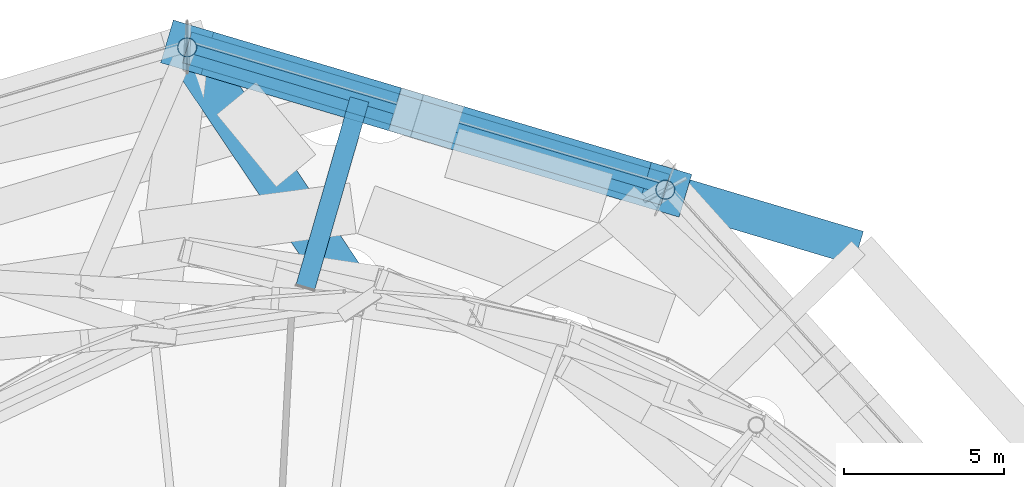
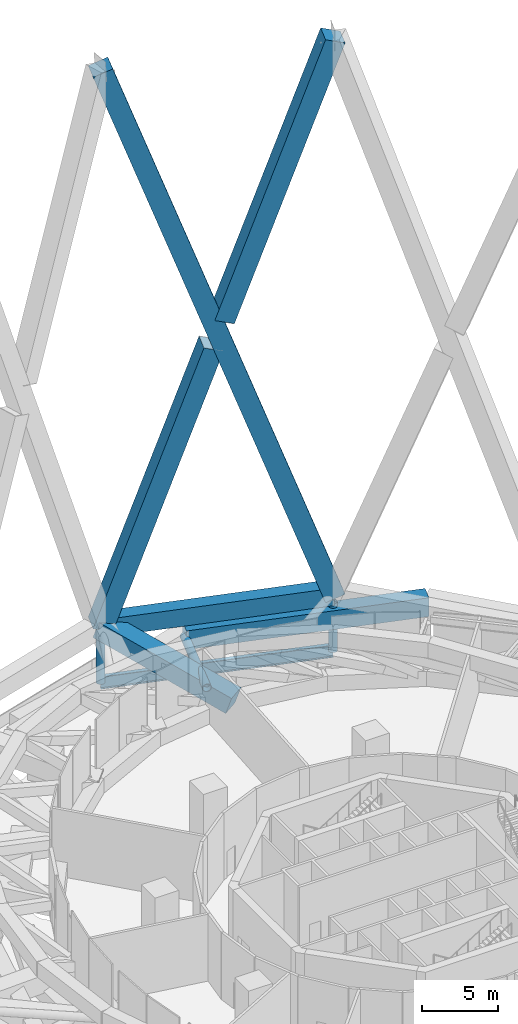
# One storey, part 46 of 60: 9 members, 1 beam.
"""IFC4 building model written with IfcOpenShell, lengths in metres."""

from ifc_helpers import new_model, si_unit, direction, frame, origin, origin_2d, place, context, subcontext, project, spatial, rectangle, hollow_circle, i_section, extrude, material, material_profile, profile_set, type_object, element, save


model = new_model("IFC4")

# Units and contexts
model_context = context("Model", 3, precision=1e-05, world=origin(), true_north=direction((0.0, 1.0)))
body_context = subcontext(model_context, "Body", "Model", "MODEL_VIEW")
ifc_project = project(units=[si_unit("LENGTHUNIT", "METRE"), si_unit("AREAUNIT", "SQUARE_METRE"), si_unit("VOLUMEUNIT", "CUBIC_METRE"), si_unit("PLANEANGLEUNIT", "RADIAN"), si_unit("MASSUNIT", "GRAM", prefix="KILO")], contexts=[model_context])

# Site, building, storey
site_placement = place(None, origin())
site = spatial("IfcSite", under=ifc_project, at=site_placement, CompositionType="ELEMENT")
building_placement = place(site_placement, origin())
building = spatial("IfcBuilding", under=site, at=building_placement, Name="Nagisa Residences", CompositionType="ELEMENT")
storey_placement = place(building_placement, frame((0.0, 0.0, 206.60009765625)))
storey = spatial("IfcBuildingStorey", under=building, at=storey_placement, Name="L52", CompositionType="ELEMENT", Elevation=206.60009765625)

# Members
ifc_material_1 = material(Name="Concrete C80", Category="concrete")
ifc_material_profile_1 = material_profile(ifc_material_1, rectangle(XDim=1.39990234375, YDim=1.39990234375, at=origin_2d()), Name="C80 1400x1400")
ifc_profile_set_1 = profile_set([ifc_material_profile_1], Name="Concrete C80")
member_type_1 = type_object("IfcMemberType", Name="Cage bracket 5 C80 1400x1400", PredefinedType="BRACE", material=ifc_profile_set_1)
member_1_placement = place(storey_placement, frame((-1.800048828125, 36.40771484375, 3.699951171875), z_axis=(0.531327539767, -0.790349415137, -0.305022699939), x_axis=(0.829898144324, 0.557914930834, 0.0)))
element("IfcMember", 1, at=member_1_placement, inside=storey, type_object=member_type_1, Name="mem:L52:cg4ob02", PredefinedType="BRACE", context=body_context, shape_type="SweptSolid", body=[
    extrude(rectangle(XDim=1.39990234375, YDim=1.39990234375, at=origin_2d()), origin(), (0.0, 0.0, 1.0), 10.16357421875),
])
ifc_material_2 = material(Name="Concrete C80", Category="concrete")
ifc_material_profile_2 = material_profile(ifc_material_2, rectangle(XDim=1.39990234375, YDim=1.39990234375, at=origin_2d()), Name="C80 1400x1400")
ifc_profile_set_2 = profile_set([ifc_material_profile_2], Name="Concrete C80")
member_type_2 = type_object("IfcMemberType", Name="Cage diagonal 5 C80 1400x1400", PredefinedType="BRACE", material=ifc_profile_set_2)
member_2_placement = place(storey_placement, frame((13.18505859375, 31.94775390625, 3.699951171875), z_axis=(-0.317705439745, 0.094557470361, 0.943462844184), x_axis=(-0.285259913253, -0.958450197919, 0.0)))
element("IfcMember", 2, at=member_2_placement, inside=storey, type_object=member_type_2, Name="mem:L52:cg5d005", PredefinedType="BRACE", context=body_context, shape_type="SweptSolid", body=[
    extrude(rectangle(XDim=1.39990234375, YDim=1.39990234375, at=origin_2d()), origin(), (0.0, 0.0, 1.0), 47.166748046875),
])
member_3_placement = place(storey_placement, frame((-1.800048828125, 36.40771484375, 3.699951171875), z_axis=(0.317705408319, -0.094554793248, 0.943463123073), x_axis=(0.285252520058, 0.958452398297, 0.0)))
element("IfcMember", 3, at=member_3_placement, inside=storey, type_object=member_type_2, Name="mem:L52:cg5d006a", PredefinedType="BRACE", context=body_context, shape_type="SweptSolid", body=[
    extrude(rectangle(XDim=1.39990234375, YDim=1.39990234375, at=origin_2d()), origin(), (0.0, 0.0, 1.0), 22.484130859375),
])
member_4_placement = place(storey_placement, frame((6.041748046875, 34.07373046875, 26.98681640625), z_axis=(0.317702153622, -0.094553824592, 0.943464316145), x_axis=(0.285252520058, 0.958452398297, 0.0)))
element("IfcMember", 4, at=member_4_placement, inside=storey, type_object=member_type_2, Name="mem:L52:cg5d006b", PredefinedType="BRACE", context=body_context, shape_type="SweptSolid", body=[
    extrude(rectangle(XDim=1.39990234375, YDim=1.39990234375, at=origin_2d()), origin(), (0.0, 0.0, 1.0), 22.484375),
])
ifc_material_3 = material(Name="Concrete C80", Category="concrete")
ifc_material_profile_3 = material_profile(ifc_material_3, rectangle(XDim=1.10009765625, YDim=1.5, at=origin_2d()), Name="C80 1100x1500")
ifc_profile_set_3 = profile_set([ifc_material_profile_3], Name="Concrete C80")
member_type_3 = type_object("IfcMemberType", Name="Cage ring 4 C80 1100x1500", PredefinedType="CHORD", material=ifc_profile_set_3)
member_5_placement = place(storey_placement, frame((19.237548828125, 30.115966796875, 1.89990234375), z_axis=(-0.958369394258, 0.285531266501, 0.0), x_axis=(-0.285531266501, -0.958369394258, 0.0)))
element("IfcMember", 5, at=member_5_placement, inside=storey, type_object=member_type_3, Name="beam:L52:cg4r103", PredefinedType="CHORD", context=body_context, shape_type="SweptSolid", body=[
    extrude(rectangle(XDim=1.10009765625, YDim=1.5, at=origin_2d()), origin(), (0.0, 0.0, 1.0), 16.316650390625),
])
ifc_material_4 = material(Name="Concrete C80", Category="concrete")
ifc_material_profile_4 = material_profile(ifc_material_4, rectangle(XDim=1.0, YDim=1.39990234375, at=origin_2d()), Name="C80 1000x1400")
ifc_profile_set_4 = profile_set([ifc_material_profile_4], Name="Concrete C80")
member_type_4 = type_object("IfcMemberType", Name="Cage ring 5 C80 1000x1400", PredefinedType="CHORD", material=ifc_profile_set_4)
member_6_placement = place(storey_placement, frame((13.18505859375, 31.94775390625, 3.699951171875), z_axis=(-0.958450197919, 0.285259913253, 0.0), x_axis=(-0.285259913253, -0.958450197919, 0.0)))
element("IfcMember", 6, at=member_6_placement, inside=storey, type_object=member_type_4, Name="beam:L52:cg5r003", PredefinedType="CHORD", context=body_context, shape_type="SweptSolid", body=[
    extrude(rectangle(XDim=1.0, YDim=1.39990234375, at=origin_2d()), origin(), (0.0, 0.0, 1.0), 15.634765625),
])
ifc_material_5 = material(Name="Steel ASTM A572 Gr 65", Category="steel")
ifc_material_profile_5 = material_profile(ifc_material_5, hollow_circle(Radius=0.304931640625, WallThickness=0.02490234375, at=origin_2d()), Name="CHS 610x25")
ifc_profile_set_5 = profile_set([ifc_material_profile_5], Name="Steel ASTM A572 Gr 65")
member_type_5 = type_object("IfcMemberType", Name="Cage strut CHS 610x25", PredefinedType="STRUT", material=ifc_profile_set_5)
member_7_placement = place(storey_placement, frame((3.60009765625, 34.77490234375, 1.89990234375), z_axis=(-0.276794163292, -0.960929233174, 0.0), x_axis=(0.960929233174, -0.276794163292, 0.0)))
element("IfcMember", 7, at=member_7_placement, inside=storey, type_object=member_type_5, Name="mem:L52:bt4st4a04", PredefinedType="STRUT", context=body_context, shape_type="SweptSolid", body=[
    extrude(hollow_circle(Radius=0.304931640625, WallThickness=0.02490234375, at=origin_2d()), origin(), (0.0, 0.0, 1.0), 6.12646484375),
])

# Beam
ifc_material_6 = material(Name="Steel ASTM A572 Gr 50", Category="steel")
ifc_material_profile_6 = material_profile(ifc_material_6, i_section(OverallWidth=0.300048828125, OverallDepth=0.97998046875, WebThickness=0.0166015625, FlangeThickness=0.02587890625, at=origin_2d()), Name="W1000x249")
ifc_profile_set_6 = profile_set([ifc_material_profile_6], Name="Steel ASTM A572 Gr 50")
beam_type = type_object("IfcBeamType", Name="Deck edge beam W1000x249", PredefinedType="BEAM", material=ifc_profile_set_6)
beam_placement = place(storey_placement, frame((13.18505859375, 31.94775390625, -0.89013671875), z_axis=(-0.958450197919, 0.285259913253, 0.0), x_axis=(-0.285259913253, -0.958450197919, 0.0)))
element("IfcBeam", 8, at=beam_placement, inside=storey, type_object=beam_type, Name="beam:L52:deckedge03", PredefinedType="BEAM", context=body_context, shape_type="SweptSolid", body=[
    extrude(i_section(OverallWidth=0.300048828125, OverallDepth=0.97998046875, WebThickness=0.0166015625, FlangeThickness=0.02587890625, at=origin_2d()), origin(), (0.0, 0.0, 1.0), 15.634765625),
])

# Members
ifc_material_7 = material(Name="Steel ASTM A572 Gr 65", Category="steel")
ifc_material_profile_7 = material_profile(ifc_material_7, hollow_circle(Radius=0.304931640625, WallThickness=0.02490234375, at=origin_2d()), Name="CHS 610x25")
ifc_profile_set_7 = profile_set([ifc_material_profile_7], Name="Steel ASTM A572 Gr 65")
member_type_6 = type_object("IfcMemberType", Name="Deck hanger CHS 610x25", PredefinedType="POST", material=ifc_profile_set_7)
for number, where, z_axis, x_axis, name in (
    (9, (13.18505859375, 31.94775390625, 3.0), (0.0, 0.0, -1.0), (1.0, 0.0, 0.0), "mem:L52:deckhanger02"),
    (10, (-1.800048828125, 36.40771484375, 3.0), (0.0, 0.0, -1.0), (1.0, 0.0, 0.0), "mem:L52:deckhanger03"),
):
    element("IfcMember", number, at=place(storey_placement, frame(where, z_axis=z_axis, x_axis=x_axis)), inside=storey, type_object=member_type_6, Name=name, PredefinedType="POST", context=body_context, shape_type="SweptSolid", body=[
        extrude(hollow_circle(Radius=0.304931640625, WallThickness=0.02490234375, at=origin_2d()), origin(), (0.0, 0.0, 1.0), 3.89013671875),
    ])

save(model, "model.ifc")
